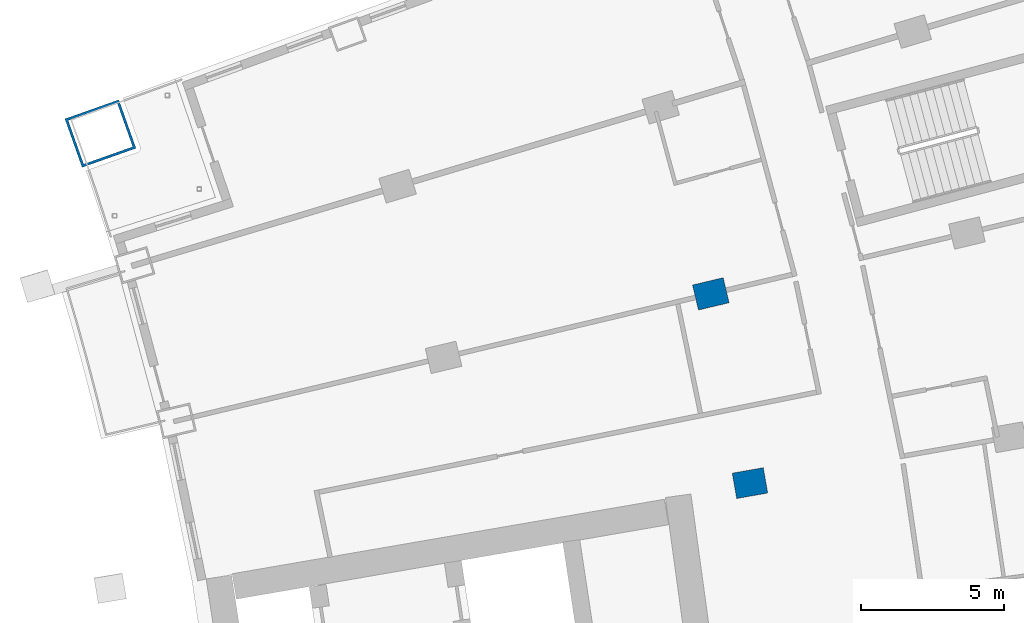
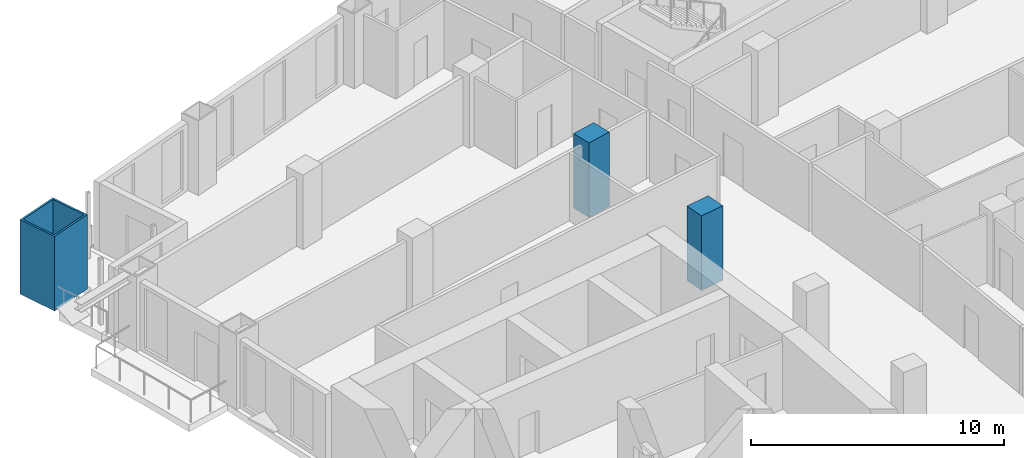
# One storey, part 8 of 24: 3 columns.
"""IFC4 building model written with IfcOpenShell, lengths in metres."""

from ifc_helpers import new_model, si_unit, direction, frame, origin, origin_2d, place, context, subcontext, project, spatial, rectangle, hollow_rectangle, extrude, material, material_profile, profile_set, type_object, element, save


model = new_model("IFC4")

# Units and contexts
model_context = context("Model", 3, precision=1e-05, world=origin(), true_north=direction((0.0, 1.0)))
body_context = subcontext(model_context, "Body", "Model", "MODEL_VIEW")
ifc_project = project(units=[si_unit("LENGTHUNIT", "METRE"), si_unit("AREAUNIT", "SQUARE_METRE"), si_unit("VOLUMEUNIT", "CUBIC_METRE"), si_unit("PLANEANGLEUNIT", "RADIAN"), si_unit("MASSUNIT", "GRAM", prefix="KILO")], contexts=[model_context])

# Site, building, storey
site_placement = place(None, origin())
site = spatial("IfcSite", under=ifc_project, at=site_placement, CompositionType="ELEMENT")
building_placement = place(site_placement, origin())
building = spatial("IfcBuilding", under=site, at=building_placement, Name="Alderwake Tower", CompositionType="ELEMENT")
storey_placement = place(building_placement, frame((0.0, 0.0, 39.199951171875)))
storey = spatial("IfcBuildingStorey", under=building, at=storey_placement, Name="L08", CompositionType="ELEMENT", Elevation=39.199951171875)

# Columns
ifc_material_1 = material(Name="Concrete C70/85", Category="concrete")
ifc_material_profile_1 = material_profile(ifc_material_1, rectangle(XDim=0.89990234375, YDim=1.10009765625, at=origin_2d()), Name="RC 1100X900")
ifc_profile_set_1 = profile_set([ifc_material_profile_1], Name="Concrete C70/85")
column_type_1 = type_object("IfcColumnType", Name="Interior column Z1", PredefinedType="COLUMN", material=ifc_profile_set_1)
for number, where, z_axis, x_axis, name in (
    (1, (34.03125, 81.16162109375, 0.0), (0.0, 0.0, 1.0), (-0.174108800747, 0.984726421654, 0.0), "Column R10-C2"),
    (2, (32.661865234375, 87.775390625, 0.0), (0.0, 0.0, 1.0), (-0.231221547198, 0.972901123502, 0.0), "Column R11-C2"),
):
    element("IfcColumn", number, at=place(storey_placement, frame(where, z_axis=z_axis, x_axis=x_axis)), inside=storey, type_object=column_type_1, Name=name, PredefinedType="COLUMN", context=body_context, shape_type="SweptSolid", body=[
        extrude(rectangle(XDim=0.89990234375, YDim=1.10009765625, at=origin_2d()), origin(), (0.0, 0.0, 1.0), 3.60009765625),
    ])
ifc_material_2 = material(Name="Steel ASTM A572 Grade 50 concrete filled C70/85", Category="concrete")
ifc_material_profile_2 = material_profile(ifc_material_2, hollow_rectangle(XDim=1.800048828125, YDim=2.0, WallThickness=0.090087890625, at=origin_2d()), Name="BOX 2000X1800X90")
ifc_profile_set_2 = profile_set([ifc_material_profile_2], Name="Steel ASTM A572 Grade 50 concrete filled C70/85")
column_type_2 = type_object("IfcColumnType", Name="Mega column Z1", PredefinedType="COLUMN", material=ifc_profile_set_2)
column_placement = place(storey_placement, frame((11.330810546875, 93.377197265625, 0.0), z_axis=(0.0, 0.0, 1.0), x_axis=(-0.334130947791, 0.942526662609, 0.0)))
element("IfcColumn", 3, at=column_placement, inside=storey, type_object=column_type_2, Name="Column R13-C0", PredefinedType="COLUMN", context=body_context, shape_type="SweptSolid", body=[
    extrude(hollow_rectangle(XDim=1.800048828125, YDim=2.0, WallThickness=0.090087890625, at=origin_2d()), origin(), (0.0, 0.0, 1.0), 3.60009765625),
])

save(model, "model.ifc")
